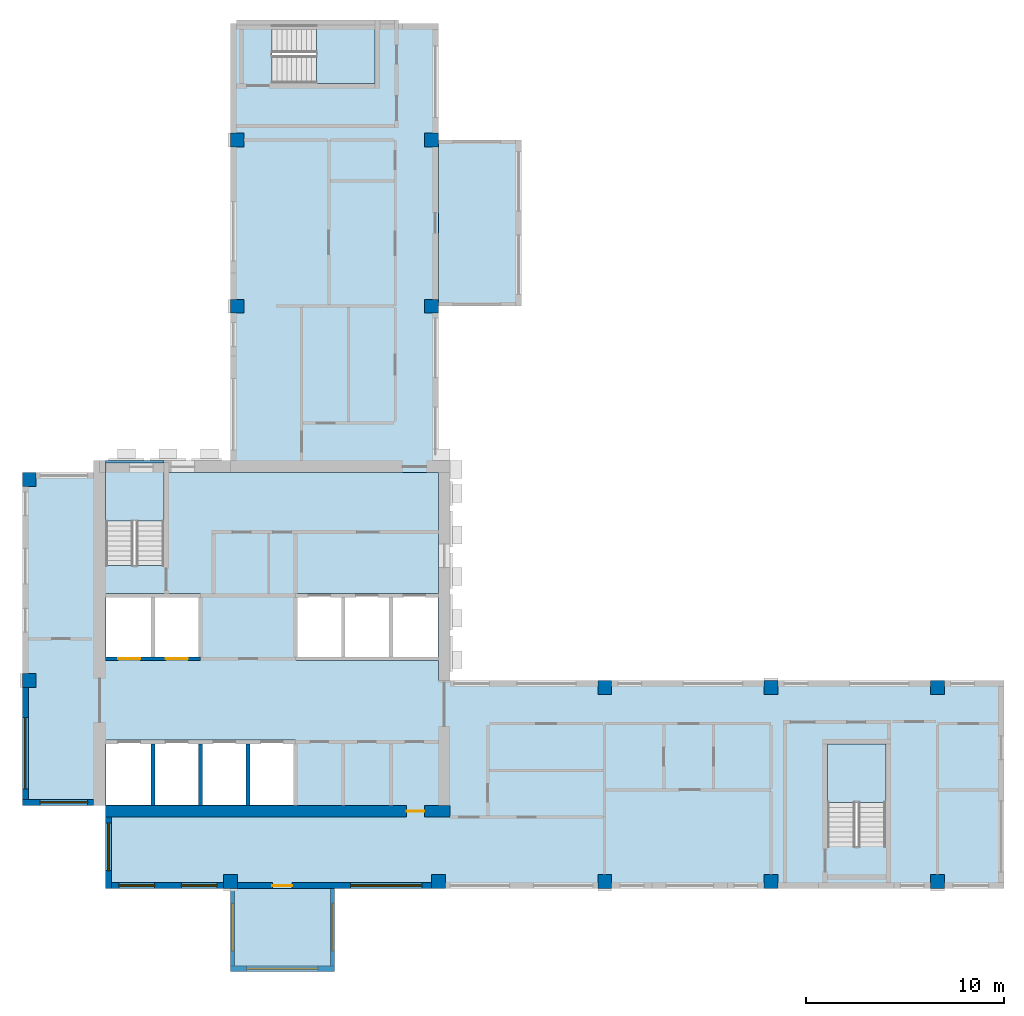
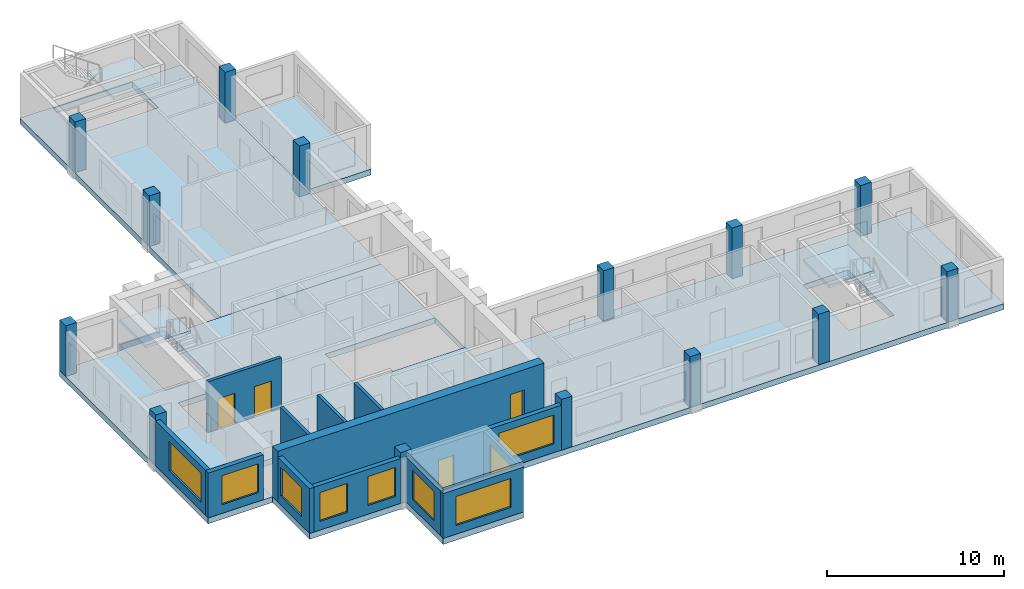
# One storey, part 1 of 10: 14 columns, 13 walls, 9 slabs, 9 windows, 4 doors, 13 openings, 3 elements without a shape of their own.
"""IFC4 building model written with IfcOpenShell, lengths in metres."""

from ifc_helpers import new_model, si_unit, direction, frame, frame_2d, origin, origin_2d, place, context, subcontext, project, spatial, polyline, rectangle, outline, extrude, source, transform, mapped, material, layer, layer_set, material_profile, profile_set, type_object, element, fill, aggregate, save


model = new_model("IFC4")

# Units and contexts
model_context = context("Model", 3, precision=1e-05, world=origin(), true_north=direction((0.0, 1.0)))
body_context = subcontext(model_context, "Body", "Model", "MODEL_VIEW")
ifc_project = project(units=[si_unit("LENGTHUNIT", "METRE"), si_unit("AREAUNIT", "SQUARE_METRE"), si_unit("VOLUMEUNIT", "CUBIC_METRE"), si_unit("PLANEANGLEUNIT", "RADIAN"), si_unit("MASSUNIT", "GRAM", prefix="KILO")], contexts=[model_context])

# Site, building, storey
site_placement = place(None, origin())
site = spatial("IfcSite", under=ifc_project, at=site_placement, CompositionType="ELEMENT")
building_placement = place(site_placement, origin())
building = spatial("IfcBuilding", under=site, at=building_placement, Name="Aurelian Terraces", CompositionType="ELEMENT")
storey_placement = place(building_placement, frame((0.0, 0.0, 288.0)))
storey = spatial("IfcBuildingStorey", under=building, at=storey_placement, Name="L65", CompositionType="ELEMENT", Elevation=288.0)

# Columns
ifc_material_1 = material(Name="Concrete fc' 55 MPa", Category="concrete")
ifc_material_profile = material_profile(ifc_material_1, rectangle(XDim=0.7, YDim=0.7, at=origin_2d()))
ifc_profile_set = profile_set([ifc_material_profile], Name="Concrete fc' 55 MPa")
column_type = type_object("IfcColumnType", Name="RC COLUMN 700X700 FC55", PredefinedType="COLUMN", material=ifc_profile_set)
shared_shape_1 = source(origin(), body_context, "Body", "SweptSolid", [
    extrude(rectangle(XDim=0.7, YDim=0.7, at=origin_2d()), origin(), (0.0, 0.0, 1.0), 3.5),
])
for number, where, z_axis, x_axis, name in (
    (1, (10.5, 0.35, 0.0), (0.0, 0.0, 1.0), (1.0, 0.0, 0.0), "Column 2/A L65"),
    (2, (21.0, 0.35, 0.0), (0.0, 0.0, 1.0), (1.0, 0.0, 0.0), "Column 3/A L65"),
    (3, (29.4, 0.35, 0.0), (0.0, 0.0, 1.0), (1.0, 0.0, 0.0), "Column 4/A L65"),
    (4, (37.8, 0.35, 0.0), (0.0, 0.0, 1.0), (1.0, 0.0, 0.0), "Column 5/A L65"),
    (5, (46.2, 0.35, 0.0), (0.0, 0.0, 1.0), (1.0, 0.0, 0.0), "Column 6/A L65"),
    (6, (0.35, 10.5, 0.0), (0.0, 0.0, 1.0), (1.0, 0.0, 0.0), "Column 1/B L65"),
    (7, (29.4, 10.15, 0.0), (0.0, 0.0, 1.0), (1.0, 0.0, 0.0), "Column 4/B L65"),
    (8, (37.8, 10.15, 0.0), (0.0, 0.0, 1.0), (1.0, 0.0, 0.0), "Column 5/B L65"),
    (9, (46.2, 10.15, 0.0), (0.0, 0.0, 1.0), (1.0, 0.0, 0.0), "Column 6/B L65"),
    (10, (0.35, 20.65, 0.0), (0.0, 0.0, 1.0), (1.0, 0.0, 0.0), "Column 1/C L65"),
    (11, (10.85, 29.4, 0.0), (0.0, 0.0, 1.0), (1.0, 0.0, 0.0), "Column 2/D L65"),
    (12, (20.65, 29.4, 0.0), (0.0, 0.0, 1.0), (1.0, 0.0, 0.0), "Column 3/D L65"),
    (13, (10.85, 37.8, 0.0), (0.0, 0.0, 1.0), (1.0, 0.0, 0.0), "Column 2/E L65"),
    (14, (20.65, 37.8, 0.0), (0.0, 0.0, 1.0), (1.0, 0.0, 0.0), "Column 3/E L65"),
):
    element("IfcColumn", number, at=place(storey_placement, frame(where, z_axis=z_axis, x_axis=x_axis)), inside=storey, type_object=column_type, Name=name, PredefinedType="COLUMN", context=body_context, shape_type="MappedRepresentation", body=[
        mapped(shared_shape_1, transform((0.0, 0.0, 0.0), scale=1.0)),
    ])

# Slabs
ifc_material_2 = material(Name="Concrete fc' 40 MPa", Category="concrete")
ifc_layer_1 = layer(ifc_material_2, 0.4)
ifc_layer_set_1 = layer_set([ifc_layer_1], Name="PT FLAT PLATE 400")
slab_type_1 = type_object("IfcSlabType", Name="PT FLAT PLATE 400", PredefinedType="FLOOR", material=ifc_layer_set_1)
slab_1_placement = place(storey_placement, frame((0.0, 0.0, -0.4)))
element("IfcSlab", 15, at=slab_1_placement, inside=storey, type_object=slab_type_1, Name="Floor slab S L65", PredefinedType="FLOOR", context=body_context, shape_type="SweptSolid", body=[
    extrude(outline(polyline([(21.0, 0.0), (4.2, 0.0), (4.2, 4.2), (0.0, 4.2), (0.0, 10.5), (0.0, 21.0), (4.21, 21.0), (4.21, 16.31), (7.14, 16.31), (7.14, 21.0), (21.0, 21.0), (21.0, 10.5), (49.56, 10.5), (49.56, 6.3), (49.56, 4.2), (49.56, 0.0), (21.0, 0.0)]), holes=[polyline([(40.66, 2.11), (43.59, 2.11), (43.59, 7.29), (40.66, 7.29), (40.66, 2.11)]), polyline([(13.81, 14.89), (13.81, 11.51), (20.99, 11.51), (20.99, 14.89), (13.81, 14.89)]), polyline([(4.21, 7.49), (4.21, 4.21), (13.79, 4.21), (13.79, 7.49), (4.21, 7.49)]), polyline([(8.99, 11.51), (8.99, 14.89), (4.21, 14.89), (4.21, 11.51), (8.99, 11.51)])]), origin(), (0.0, 0.0, 1.0), 0.4),
])
shared_shape_2 = source(origin(), body_context, "Body", "SweptSolid", [
    extrude(outline(polyline([(10.5, 43.68), (14.7, 43.68), (16.8, 43.68), (21.0, 43.68), (21.0, 21.0), (10.5, 21.0), (10.5, 43.68)]), holes=[polyline([(17.79, 43.59), (12.61, 43.59), (12.61, 40.66), (17.79, 40.66), (17.79, 43.59)])]), origin(), (0.0, 0.0, 1.0), 0.4),
])
slab_2_placement = place(storey_placement, frame((0.0, 0.0, -0.4)))
element("IfcSlab", 16, at=slab_2_placement, inside=storey, type_object=slab_type_1, Name="Floor slab W L65", PredefinedType="FLOOR", context=body_context, shape_type="MappedRepresentation", body=[
    mapped(shared_shape_2, transform((0.0, 0.0, 0.0), scale=1.0)),
])
shared_shape_3 = source(origin(), body_context, "Body", "SweptSolid", [
    extrude(outline(polyline([(4.2, 21.0), (4.2, 21.6), (7.15, 21.6), (7.15, 21.0), (7.14, 21.0), (7.14, 21.49), (4.21, 21.49), (4.21, 21.0), (4.2, 21.0)])), origin(), (0.0, 0.0, 1.0), 0.4),
])
slab_3_placement = place(storey_placement, frame((0.0, 0.0, -0.4)))
element("IfcSlab", 17, at=slab_3_placement, inside=storey, type_object=slab_type_1, Name="Floor slab W2 L65", PredefinedType="FLOOR", context=body_context, shape_type="MappedRepresentation", body=[
    mapped(shared_shape_3, transform((0.0, 0.0, 0.0), scale=1.0)),
])
ifc_layer_2 = layer(ifc_material_2, 0.41)
ifc_layer_set_2 = layer_set([ifc_layer_2], Name="Box floor 410")
slab_type_2 = type_object("IfcSlabType", Name="Box floor 410", PredefinedType="NOTDEFINED", material=ifc_layer_set_2)
shared_shape_4 = source(origin(), body_context, "Body", "SweptSolid", [
    extrude(outline(polyline([(25.2, 29.4), (25.2, 37.8), (21.0, 37.8), (21.0, 29.4), (25.2, 29.4)])), origin(), (0.0, 0.0, 1.0), 0.41),
])
slab_4_placement = place(storey_placement, frame((0.0, 0.0, -0.41)))
element("IfcSlab", 18, at=slab_4_placement, inside=storey, type_object=slab_type_2, Name="Box floor L65 J89", PredefinedType="NOTDEFINED", context=body_context, shape_type="MappedRepresentation", body=[
    mapped(shared_shape_4, transform((0.0, 0.0, 0.0), scale=1.0)),
])
shared_shape_5 = source(origin(), body_context, "Body", "SweptSolid", [
    extrude(outline(polyline([(10.5, -4.2), (15.75, -4.2), (15.75, 0.0), (10.5, 0.0), (10.5, -4.2)])), origin(), (0.0, 0.0, 1.0), 0.41),
])
slab_5_placement = place(storey_placement, frame((0.0, 0.0, -0.41)))
element("IfcSlab", 19, at=slab_5_placement, inside=storey, type_object=slab_type_2, Name="Box floor L65 J88", PredefinedType="NOTDEFINED", context=body_context, shape_type="MappedRepresentation", body=[
    mapped(shared_shape_5, transform((0.0, 0.0, 0.0), scale=1.0)),
])
ifc_layer_3 = layer(ifc_material_2, 0.4)
ifc_layer_set_3 = layer_set([ifc_layer_3], Name="Box roof 400")
slab_type_3 = type_object("IfcSlabType", Name="Box roof 400", PredefinedType="ROOF", material=ifc_layer_set_3)
shared_shape_6 = source(origin(), body_context, "Body", "SweptSolid", [
    extrude(outline(polyline([(10.5, -4.2), (15.75, -4.2), (15.75, 0.0), (10.5, 0.0), (10.5, -4.2)])), origin(), (0.0, 0.0, 1.0), 0.4),
])
slab_6_placement = place(storey_placement, frame((0.0, 0.0, 3.1)))
element("IfcSlab", 20, at=slab_6_placement, inside=storey, type_object=slab_type_3, Name="Box roof J88", PredefinedType="ROOF", context=body_context, shape_type="MappedRepresentation", body=[
    mapped(shared_shape_6, transform((0.0, 0.0, 0.0), scale=1.0)),
])

# Stair, slab
stair_type = type_object("IfcStairType", Name="Stair 1400", PredefinedType="HALF_TURN_STAIR", material=ifc_material_2)
stair_1_placement = place(storey_placement, origin())
stair_1 = element("IfcStair", 21, at=stair_1_placement, inside=storey, type_object=stair_type, Name="L65 S1", PredefinedType="HALF_TURN_STAIR")
ifc_layer_4 = layer(ifc_material_2, 0.2)
ifc_layer_set_4 = layer_set([ifc_layer_4], Name="Stair landing 200")
slab_type_4 = type_object("IfcSlabType", Name="Stair landing 200", PredefinedType="LANDING", material=ifc_layer_set_4)
shared_shape_7 = source(origin(), body_context, "Body", "SweptSolid", [
    extrude(outline(polyline([(7.15, 18.55), (7.15, 21.5), (4.2, 21.5), (4.2, 18.55), (7.15, 18.55)])), origin(), (0.0, 0.0, 1.0), 0.2),
])
slab_7_placement = place(storey_placement, frame((0.0, 0.0, 1.55)))
slab_7 = element("IfcSlab", 22, at=slab_7_placement, type_object=slab_type_4, Name="S1 landing 1", PredefinedType="LANDING", context=body_context, shape_type="MappedRepresentation", body=[
    mapped(shared_shape_7, transform((0.0, 0.0, 0.0), scale=1.0)),
])
aggregate(stair_1, [slab_7])

stair_2_placement = place(storey_placement, origin())
stair_2 = element("IfcStair", 23, at=stair_2_placement, inside=storey, type_object=stair_type, Name="L65 S2", PredefinedType="HALF_TURN_STAIR")
shared_shape_8 = source(origin(), body_context, "Body", "SweptSolid", [
    extrude(outline(polyline([(43.6, 4.35), (43.6, 7.3), (40.65, 7.3), (40.65, 4.35), (43.6, 4.35)])), origin(), (0.0, 0.0, 1.0), 0.2),
])
slab_8_placement = place(storey_placement, frame((0.0, 0.0, 1.55)))
slab_8 = element("IfcSlab", 24, at=slab_8_placement, type_object=slab_type_4, Name="S2 landing 1", PredefinedType="LANDING", context=body_context, shape_type="MappedRepresentation", body=[
    mapped(shared_shape_8, transform((0.0, 0.0, 0.0), scale=1.0)),
])
aggregate(stair_2, [slab_8])

stair_3_placement = place(storey_placement, origin())
stair_3 = element("IfcStair", 25, at=stair_3_placement, inside=storey, type_object=stair_type, Name="L65 S3U", PredefinedType="HALF_TURN_STAIR")
shared_shape_9 = source(origin(), body_context, "Body", "SweptSolid", [
    extrude(outline(polyline([(14.85, 40.65), (17.8, 40.65), (17.8, 43.6), (14.85, 43.6), (14.85, 40.65)])), origin(), (0.0, 0.0, 1.0), 0.2),
])
slab_9_placement = place(storey_placement, frame((0.0, 0.0, 1.55)))
slab_9 = element("IfcSlab", 26, at=slab_9_placement, type_object=slab_type_4, Name="S3U landing 1", PredefinedType="LANDING", context=body_context, shape_type="MappedRepresentation", body=[
    mapped(shared_shape_9, transform((0.0, 0.0, 0.0), scale=1.0)),
])
aggregate(stair_3, [slab_9])

# Wall, opening, window
ifc_layer_5 = layer(ifc_material_2, 0.2)
ifc_layer_set_5 = layer_set([ifc_layer_5], Name="BOX BEARING WALL 200")
wall_type_1 = type_object("IfcWallType", Name="BOX BEARING WALL 200", PredefinedType="SOLIDWALL", material=ifc_layer_set_5)
wall_1_placement = place(storey_placement, frame((10.6, 0.0, 0.0), z_axis=(0.0, 0.0, 1.0), x_axis=(0.0, -1.0, 0.0)))
wall_1 = element("IfcWall", 27, at=wall_1_placement, inside=storey, type_object=wall_type_1, Name="Box return L65 J88.1", PredefinedType="SOLIDWALL", context=body_context, shape_type="SweptSolid", body=[
    extrude(rectangle(XDim=3.9, YDim=0.2, at=frame_2d((1.95, 0.0))), origin(), (0.0, 0.0, 1.0), 3.1),
])
shared_shape_10 = source(origin(), body_context, "Body", "SweptSolid", [
    extrude(rectangle(XDim=2.4, YDim=2.0, at=frame_2d((1.2, 1.0))), frame((0.0, 0.11, 0.0), z_axis=(0.0, -1.0, 0.0), x_axis=(1.0, 0.0, 0.0)), (0.0, 0.0, 1.0), 0.22),
])
opening_1_placement = place(wall_1_placement, frame((0.75, 0.0, 0.6)))
opening_1 = element("IfcOpeningElement", 28, at=opening_1_placement, cuts=wall_1, Name="Opening W2420", PredefinedType="OPENING", context=body_context, shape_type="MappedRepresentation", body=[
    mapped(shared_shape_10, transform((0.0, 0.0, 0.0), scale=1.0)),
])
ifc_material_3 = material(Name="Clear glazing", Category="glass")
window_type_1 = type_object("IfcWindowType", Name="W-2400x2000", PartitioningType="SINGLE_PANEL", PredefinedType="WINDOW", material=ifc_material_3)
shared_shape_11 = source(origin(), body_context, "Body", "SweptSolid", [
    extrude(rectangle(XDim=2.4, YDim=2.0, at=frame_2d((1.2, 1.0))), frame((0.0, 0.03, 0.0), z_axis=(0.0, -1.0, 0.0), x_axis=(1.0, 0.0, 0.0)), (0.0, 0.0, 1.0), 0.06),
])
window_1_placement = place(opening_1_placement, origin())
window_1 = element("IfcWindow", 29, at=window_1_placement, inside=storey, type_object=window_type_1, Name="Window L65 J88-S1", OverallHeight=2.0, OverallWidth=2.4, PartitioningType="SINGLE_PANEL", PredefinedType="WINDOW", context=body_context, shape_type="MappedRepresentation", body=[
    mapped(shared_shape_11, transform((0.0, 0.0, 0.0), scale=1.0)),
])
fill(opening_1, window_1)

ifc_layer_6 = layer(ifc_material_2, 0.3)
ifc_layer_set_6 = layer_set([ifc_layer_6], Name="BOX BEARING WALL 300")
wall_type_2 = type_object("IfcWallType", Name="BOX BEARING WALL 300", PredefinedType="SOLIDWALL", material=ifc_layer_set_6)
wall_2_placement = place(storey_placement, frame((10.5, -4.05, 0.0), z_axis=(0.0, 0.0, 1.0), x_axis=(1.0, 0.0, 0.0)))
wall_2 = element("IfcWall", 30, at=wall_2_placement, inside=storey, type_object=wall_type_2, Name="Box wall L65 J88", PredefinedType="SOLIDWALL", context=body_context, shape_type="SweptSolid", body=[
    extrude(rectangle(XDim=5.25, YDim=0.3, at=frame_2d((2.625, 0.0))), origin(), (0.0, 0.0, 1.0), 3.1),
])
shared_shape_12 = source(origin(), body_context, "Body", "SweptSolid", [
    extrude(rectangle(XDim=3.6, YDim=2.0, at=frame_2d((1.8, 1.0))), frame((0.0, 0.16, 0.0), z_axis=(0.0, -1.0, 0.0), x_axis=(1.0, 0.0, 0.0)), (0.0, 0.0, 1.0), 0.32),
])
opening_2_placement = place(wall_2_placement, frame((0.825, 0.0, 0.6)))
opening_2 = element("IfcOpeningElement", 31, at=opening_2_placement, cuts=wall_2, Name="Opening W3620", PredefinedType="OPENING", context=body_context, shape_type="MappedRepresentation", body=[
    mapped(shared_shape_12, transform((0.0, 0.0, 0.0), scale=1.0)),
])
window_type_2 = type_object("IfcWindowType", Name="W-3600x2000", PartitioningType="SINGLE_PANEL", PredefinedType="WINDOW", material=ifc_material_3)
shared_shape_13 = source(origin(), body_context, "Body", "SweptSolid", [
    extrude(rectangle(XDim=3.6, YDim=2.0, at=frame_2d((1.8, 1.0))), frame((0.0, 0.03, 0.0), z_axis=(0.0, -1.0, 0.0), x_axis=(1.0, 0.0, 0.0)), (0.0, 0.0, 1.0), 0.06),
])
window_2_placement = place(opening_2_placement, origin())
window_2 = element("IfcWindow", 32, at=window_2_placement, inside=storey, type_object=window_type_2, Name="Window L65 J88-F1", OverallHeight=2.0, OverallWidth=3.6, PartitioningType="SINGLE_PANEL", PredefinedType="WINDOW", context=body_context, shape_type="MappedRepresentation", body=[
    mapped(shared_shape_13, transform((0.0, 0.0, 0.0), scale=1.0)),
])
fill(opening_2, window_2)

# Wall, openings, windows
ifc_material_4 = material(Name="Terracotta rainscreen cladding", Category="masonry")
ifc_layer_7 = layer(ifc_material_4, 0.3)
ifc_layer_set_7 = layer_set([ifc_layer_7], Name="EW-300")
wall_type_3 = type_object("IfcWallType", Name="EW-300", PredefinedType="STANDARD", material=ifc_layer_set_7)
wall_3_placement = place(storey_placement, frame((4.2, 0.15, 0.0), z_axis=(0.0, 0.0, 1.0), x_axis=(1.0, 0.0, 0.0)))
wall_3 = element("IfcWall", 33, at=wall_3_placement, inside=storey, type_object=wall_type_3, Name="External wall L65 F01.1", PredefinedType="STANDARD", context=body_context, shape_type="SweptSolid", body=[
    extrude(rectangle(XDim=5.95, YDim=0.3, at=frame_2d((2.975, 0.0))), origin(), (0.0, 0.0, 1.0), 3.1),
])
shared_shape_14 = source(origin(), body_context, "Body", "SweptSolid", [
    extrude(rectangle(XDim=1.8, YDim=2.0, at=frame_2d((0.9, 1.0))), frame((0.0, 0.16, 0.0), z_axis=(0.0, -1.0, 0.0), x_axis=(1.0, 0.0, 0.0)), (0.0, 0.0, 1.0), 0.32),
])
opening_3_placement = place(wall_3_placement, frame((0.675, 0.0, 0.6)))
opening_3 = element("IfcOpeningElement", 34, at=opening_3_placement, cuts=wall_3, Name="Opening W1820", PredefinedType="OPENING", context=body_context, shape_type="MappedRepresentation", body=[
    mapped(shared_shape_14, transform((0.0, 0.0, 0.0), scale=1.0)),
])
opening_4_placement = place(wall_3_placement, frame((3.825, 0.0, 0.6)))
opening_4 = element("IfcOpeningElement", 35, at=opening_4_placement, cuts=wall_3, Name="Opening W1820", PredefinedType="OPENING", context=body_context, shape_type="MappedRepresentation", body=[
    mapped(shared_shape_14, transform((0.0, 0.0, 0.0), scale=1.0)),
])
window_type_3 = type_object("IfcWindowType", Name="W-1800x2000", PartitioningType="SINGLE_PANEL", PredefinedType="WINDOW", material=ifc_material_3)
shared_shape_15 = source(origin(), body_context, "Body", "SweptSolid", [
    extrude(rectangle(XDim=1.8, YDim=2.0, at=frame_2d((0.9, 1.0))), frame((0.0, 0.03, 0.0), z_axis=(0.0, -1.0, 0.0), x_axis=(1.0, 0.0, 0.0)), (0.0, 0.0, 1.0), 0.06),
])
window_3_placement = place(opening_3_placement, origin())
window_3 = element("IfcWindow", 36, at=window_3_placement, inside=storey, type_object=window_type_3, Name="Window L65 L65-F01-01-0", OverallHeight=2.0, OverallWidth=1.8, PartitioningType="SINGLE_PANEL", PredefinedType="WINDOW", context=body_context, shape_type="MappedRepresentation", body=[
    mapped(shared_shape_15, transform((0.0, 0.0, 0.0), scale=1.0)),
])
fill(opening_3, window_3)
window_4_placement = place(opening_4_placement, origin())
window_4 = element("IfcWindow", 37, at=window_4_placement, inside=storey, type_object=window_type_3, Name="Window L65 L65-F01-01-1", OverallHeight=2.0, OverallWidth=1.8, PartitioningType="SINGLE_PANEL", PredefinedType="WINDOW", context=body_context, shape_type="MappedRepresentation", body=[
    mapped(shared_shape_15, transform((0.0, 0.0, 0.0), scale=1.0)),
])
fill(opening_4, window_4)

# Wall, opening, door
ifc_layer_8 = layer(ifc_material_1, 0.6)
ifc_layer_set_8 = layer_set([ifc_layer_8], Name="CORE WALL 600 FC55")
wall_type_4 = type_object("IfcWallType", Name="CORE WALL 600 FC55", PredefinedType="SHEAR", material=ifc_layer_set_8)
shared_shape_16 = source(origin(), body_context, "Body", "SweptSolid", [
    extrude(rectangle(XDim=17.4, YDim=0.6, at=frame_2d((8.7, 0.0))), origin(), (0.0, 0.0, 1.0), 3.5),
])
wall_4_placement = place(storey_placement, frame((4.2, 3.9, 0.0), z_axis=(0.0, 0.0, 1.0), x_axis=(1.0, 0.0, 0.0)))
wall_4 = element("IfcWall", 38, at=wall_4_placement, inside=storey, type_object=wall_type_4, Name="Core wall S L65", PredefinedType="SHEAR", context=body_context, shape_type="MappedRepresentation", body=[
    mapped(shared_shape_16, transform((0.0, 0.0, 0.0), scale=1.0)),
])
shared_shape_17 = source(origin(), body_context, "Body", "SweptSolid", [
    extrude(rectangle(XDim=0.9, YDim=2.1, at=frame_2d((0.45, 1.05))), frame((0.0, 0.31, 0.0), z_axis=(0.0, -1.0, 0.0), x_axis=(1.0, 0.0, 0.0)), (0.0, 0.0, 1.0), 0.62),
])
opening_5_placement = place(wall_4_placement, frame((15.2, 0.0, 0.0)))
opening_5 = element("IfcOpeningElement", 39, at=opening_5_placement, cuts=wall_4, Name="Opening 66826", PredefinedType="OPENING", context=body_context, shape_type="MappedRepresentation", body=[
    mapped(shared_shape_17, transform((0.0, 0.0, 0.0), scale=1.0)),
])
ifc_material_5 = material(Name="Steel door leaf", Category="steel")
door_type_1 = type_object("IfcDoorType", Name="Core service door 900x2100 right", OperationType="SINGLE_SWING_RIGHT", PredefinedType="DOOR", material=ifc_material_5)
shared_shape_18 = source(origin(), body_context, "Body", "SweptSolid", [
    extrude(rectangle(XDim=0.9, YDim=2.1, at=frame_2d((0.45, 1.05))), frame((0.0, 0.025, 0.0), z_axis=(0.0, -1.0, 0.0), x_axis=(1.0, 0.0, 0.0)), (0.0, 0.0, 1.0), 0.05),
])
door_1_placement = place(opening_5_placement, origin())
door_1 = element("IfcDoor", 40, at=door_1_placement, inside=storey, type_object=door_type_1, Name="Core door 66826", OperationType="SINGLE_SWING_RIGHT", OverallHeight=2.1, OverallWidth=0.9, PredefinedType="DOOR", context=body_context, shape_type="MappedRepresentation", body=[
    mapped(shared_shape_18, transform((0.0, 0.0, 0.0), scale=1.0)),
])
fill(opening_5, door_1)

# Wall, opening, window
shared_shape_19 = source(origin(), body_context, "Body", "SweptSolid", [
    extrude(rectangle(XDim=3.6, YDim=0.3, at=frame_2d((1.8, 0.0))), origin(), (0.0, 0.0, 1.0), 3.1),
])
wall_5_placement = place(storey_placement, frame((0.0, 4.35, 0.0), z_axis=(0.0, 0.0, 1.0), x_axis=(1.0, 0.0, 0.0)))
wall_5 = element("IfcWall", 41, at=wall_5_placement, inside=storey, type_object=wall_type_3, Name="External wall L65 F13.23", PredefinedType="STANDARD", context=body_context, shape_type="MappedRepresentation", body=[
    mapped(shared_shape_19, transform((0.0, 0.0, 0.0), scale=1.0)),
])
shared_shape_20 = source(origin(), body_context, "Body", "SweptSolid", [
    extrude(rectangle(XDim=2.4, YDim=2.0, at=frame_2d((1.2, 1.0))), frame((0.0, 0.16, 0.0), z_axis=(0.0, -1.0, 0.0), x_axis=(1.0, 0.0, 0.0)), (0.0, 0.0, 1.0), 0.32),
])
opening_6_placement = place(wall_5_placement, frame((0.9, 0.0, 0.6)))
opening_6 = element("IfcOpeningElement", 42, at=opening_6_placement, cuts=wall_5, Name="Opening W2420", PredefinedType="OPENING", context=body_context, shape_type="MappedRepresentation", body=[
    mapped(shared_shape_20, transform((0.0, 0.0, 0.0), scale=1.0)),
])
window_5_placement = place(opening_6_placement, origin())
window_5 = element("IfcWindow", 43, at=window_5_placement, inside=storey, type_object=window_type_1, Name="Window L65 L65-F13-23-0", OverallHeight=2.0, OverallWidth=2.4, PartitioningType="SINGLE_PANEL", PredefinedType="WINDOW", context=body_context, shape_type="MappedRepresentation", body=[
    mapped(shared_shape_11, transform((0.0, 0.0, 0.0), scale=1.0)),
])
fill(opening_6, window_5)

wall_6_placement = place(storey_placement, frame((4.35, 3.6, 0.0), z_axis=(0.0, 0.0, 1.0), x_axis=(0.0, -1.0, 0.0)))
wall_6 = element("IfcWall", 44, at=wall_6_placement, inside=storey, type_object=wall_type_3, Name="External wall L65 F14.24", PredefinedType="STANDARD", context=body_context, shape_type="MappedRepresentation", body=[
    mapped(shared_shape_19, transform((0.0, 0.0, 0.0), scale=1.0)),
])
opening_7_placement = place(wall_6_placement, frame((0.3, 0.0, 0.6)))
opening_7 = element("IfcOpeningElement", 45, at=opening_7_placement, cuts=wall_6, Name="Opening W2420", PredefinedType="OPENING", context=body_context, shape_type="MappedRepresentation", body=[
    mapped(shared_shape_20, transform((0.0, 0.0, 0.0), scale=1.0)),
])
window_6_placement = place(opening_7_placement, origin())
window_6 = element("IfcWindow", 46, at=window_6_placement, inside=storey, type_object=window_type_1, Name="Window L65 L65-F14-24-0", OverallHeight=2.0, OverallWidth=2.4, PartitioningType="SINGLE_PANEL", PredefinedType="WINDOW", context=body_context, shape_type="MappedRepresentation", body=[
    mapped(shared_shape_11, transform((0.0, 0.0, 0.0), scale=1.0)),
])
fill(opening_7, window_6)

shared_shape_21 = source(origin(), body_context, "Body", "SweptSolid", [
    extrude(rectangle(XDim=3.9, YDim=0.2, at=frame_2d((1.95, 0.0))), origin(), (0.0, 0.0, 1.0), 3.1),
])
wall_7_placement = place(storey_placement, frame((15.65, 0.0, 0.0), z_axis=(0.0, 0.0, 1.0), x_axis=(0.0, -1.0, 0.0)))
wall_7 = element("IfcWall", 47, at=wall_7_placement, inside=storey, type_object=wall_type_1, Name="Box return L65 J88.2", PredefinedType="SOLIDWALL", context=body_context, shape_type="MappedRepresentation", body=[
    mapped(shared_shape_21, transform((0.0, 0.0, 0.0), scale=1.0)),
])
opening_8_placement = place(wall_7_placement, frame((0.75, 0.0, 0.6)))
opening_8 = element("IfcOpeningElement", 48, at=opening_8_placement, cuts=wall_7, Name="Opening W2420", PredefinedType="OPENING", context=body_context, shape_type="MappedRepresentation", body=[
    mapped(shared_shape_10, transform((0.0, 0.0, 0.0), scale=1.0)),
])
window_7_placement = place(opening_8_placement, origin())
window_7 = element("IfcWindow", 49, at=window_7_placement, inside=storey, type_object=window_type_1, Name="Window L65 J88-S2", OverallHeight=2.0, OverallWidth=2.4, PartitioningType="SINGLE_PANEL", PredefinedType="WINDOW", context=body_context, shape_type="MappedRepresentation", body=[
    mapped(shared_shape_11, transform((0.0, 0.0, 0.0), scale=1.0)),
])
fill(opening_8, window_7)

# Wall, openings, window, door
shared_shape_22 = source(origin(), body_context, "Body", "SweptSolid", [
    extrude(rectangle(XDim=9.8, YDim=0.3, at=frame_2d((4.9, 0.0))), origin(), (0.0, 0.0, 1.0), 3.1),
])
wall_8_placement = place(storey_placement, frame((10.85, 0.15, 0.0), z_axis=(0.0, 0.0, 1.0), x_axis=(1.0, 0.0, 0.0)))
wall_8 = element("IfcWall", 50, at=wall_8_placement, inside=storey, type_object=wall_type_3, Name="External wall L65 F01.2", PredefinedType="STANDARD", context=body_context, shape_type="MappedRepresentation", body=[
    mapped(shared_shape_22, transform((0.0, 0.0, 0.0), scale=1.0)),
])
opening_9_placement = place(wall_8_placement, frame((5.725, 0.0, 0.6)))
opening_9 = element("IfcOpeningElement", 51, at=opening_9_placement, cuts=wall_8, Name="Opening W3620", PredefinedType="OPENING", context=body_context, shape_type="MappedRepresentation", body=[
    mapped(shared_shape_12, transform((0.0, 0.0, 0.0), scale=1.0)),
])
shared_shape_23 = source(origin(), body_context, "Body", "SweptSolid", [
    extrude(rectangle(XDim=1.0, YDim=2.1, at=frame_2d((0.5, 1.05))), frame((0.0, 0.16, 0.0), z_axis=(0.0, -1.0, 0.0), x_axis=(1.0, 0.0, 0.0)), (0.0, 0.0, 1.0), 0.32),
])
opening_10_placement = place(wall_8_placement, frame((1.775, 0.0, 0.0)))
opening_10 = element("IfcOpeningElement", 52, at=opening_10_placement, cuts=wall_8, Name="Opening 865001", PredefinedType="OPENING", context=body_context, shape_type="MappedRepresentation", body=[
    mapped(shared_shape_23, transform((0.0, 0.0, 0.0), scale=1.0)),
])
window_8_placement = place(opening_9_placement, origin())
window_8 = element("IfcWindow", 53, at=window_8_placement, inside=storey, type_object=window_type_2, Name="Window L65 L65-F01-02-1", OverallHeight=2.0, OverallWidth=3.6, PartitioningType="SINGLE_PANEL", PredefinedType="WINDOW", context=body_context, shape_type="MappedRepresentation", body=[
    mapped(shared_shape_13, transform((0.0, 0.0, 0.0), scale=1.0)),
])
fill(opening_9, window_8)
ifc_material_6 = material(Name="Timber door leaf", Category="wood")
door_type_2 = type_object("IfcDoorType", Name="Room door 1000x2100 left", OperationType="SINGLE_SWING_LEFT", PredefinedType="DOOR", material=ifc_material_6)
shared_shape_24 = source(origin(), body_context, "Body", "SweptSolid", [
    extrude(rectangle(XDim=1.0, YDim=2.1, at=frame_2d((0.5, 1.05))), frame((0.0, 0.025, 0.0), z_axis=(0.0, -1.0, 0.0), x_axis=(1.0, 0.0, 0.0)), (0.0, 0.0, 1.0), 0.05),
])
door_2_placement = place(opening_10_placement, origin())
door_2 = element("IfcDoor", 54, at=door_2_placement, inside=storey, type_object=door_type_2, Name="Door 865001", OperationType="SINGLE_SWING_LEFT", OverallHeight=2.1, OverallWidth=1.0, PredefinedType="DOOR", context=body_context, shape_type="MappedRepresentation", body=[
    mapped(shared_shape_24, transform((0.0, 0.0, 0.0), scale=1.0)),
])
fill(opening_10, door_2)

# Wall, opening, window
shared_shape_25 = source(origin(), body_context, "Body", "SweptSolid", [
    extrude(rectangle(XDim=5.95, YDim=0.3, at=frame_2d((2.975, 0.0))), origin(), (0.0, 0.0, 1.0), 3.1),
])
wall_9_placement = place(storey_placement, frame((0.15, 10.15, 0.0), z_axis=(0.0, 0.0, 1.0), x_axis=(0.0, -1.0, 0.0)))
wall_9 = element("IfcWall", 55, at=wall_9_placement, inside=storey, type_object=wall_type_3, Name="External wall L65 F12.22", PredefinedType="STANDARD", context=body_context, shape_type="MappedRepresentation", body=[
    mapped(shared_shape_25, transform((0.0, 0.0, 0.0), scale=1.0)),
])
opening_11_placement = place(wall_9_placement, frame((1.525, 0.0, 0.6)))
opening_11 = element("IfcOpeningElement", 56, at=opening_11_placement, cuts=wall_9, Name="Opening W3620", PredefinedType="OPENING", context=body_context, shape_type="MappedRepresentation", body=[
    mapped(shared_shape_12, transform((0.0, 0.0, 0.0), scale=1.0)),
])
window_9_placement = place(opening_11_placement, origin())
window_9 = element("IfcWindow", 57, at=window_9_placement, inside=storey, type_object=window_type_2, Name="Window L65 L65-F12-22-3", OverallHeight=2.0, OverallWidth=3.6, PartitioningType="SINGLE_PANEL", PredefinedType="WINDOW", context=body_context, shape_type="MappedRepresentation", body=[
    mapped(shared_shape_13, transform((0.0, 0.0, 0.0), scale=1.0)),
])
fill(opening_11, window_9)

# Walls
ifc_layer_9 = layer(ifc_material_2, 0.2)
ifc_layer_set_9 = layer_set([ifc_layer_9], Name="Lift shaft wall 200")
wall_type_5 = type_object("IfcWallType", Name="Lift shaft wall 200", PredefinedType="SOLIDWALL", material=ifc_layer_set_9)
shared_shape_26 = source(origin(), body_context, "Body", "SweptSolid", [
    extrude(rectangle(XDim=3.1, YDim=0.2, at=frame_2d((1.55, 0.0))), origin(), (0.0, 0.0, 1.0), 3.5),
])
for number, where, z_axis, x_axis, name in (
    (58, (6.6, 4.2, 0.0), (0.0, 0.0, 1.0), (0.0, 1.0, 0.0), "L65 core wall CD-A1"),
    (59, (9.0, 4.2, 0.0), (0.0, 0.0, 1.0), (0.0, 1.0, 0.0), "L65 core wall CD-A2"),
    (60, (11.4, 4.2, 0.0), (0.0, 0.0, 1.0), (0.0, 1.0, 0.0), "L65 core wall CD-A3"),
):
    element("IfcWall", number, at=place(storey_placement, frame(where, z_axis=z_axis, x_axis=x_axis)), inside=storey, type_object=wall_type_5, Name=name, PredefinedType="SOLIDWALL", context=body_context, shape_type="MappedRepresentation", body=[
        mapped(shared_shape_26, transform((0.0, 0.0, 0.0), scale=1.0)),
    ])

# Wall, openings, doors
shared_shape_27 = source(origin(), body_context, "Body", "SweptSolid", [
    extrude(rectangle(XDim=4.8, YDim=0.2, at=frame_2d((2.4, 0.0))), origin(), (0.0, 0.0, 1.0), 3.5),
])
wall_10_placement = place(storey_placement, frame((4.2, 11.6, 0.0), z_axis=(0.0, 0.0, 1.0), x_axis=(1.0, 0.0, 0.0)))
wall_10 = element("IfcWall", 61, at=wall_10_placement, inside=storey, type_object=wall_type_5, Name="L65 core wall CF-BF1", PredefinedType="SOLIDWALL", context=body_context, shape_type="MappedRepresentation", body=[
    mapped(shared_shape_27, transform((0.0, 0.0, 0.0), scale=1.0)),
])
shared_shape_28 = source(origin(), body_context, "Body", "SweptSolid", [
    extrude(rectangle(XDim=1.1, YDim=2.1, at=frame_2d((0.55, 1.05))), frame((0.0, 0.11, 0.0), z_axis=(0.0, -1.0, 0.0), x_axis=(1.0, 0.0, 0.0)), (0.0, 0.0, 1.0), 0.22),
])
opening_12_placement = place(wall_10_placement, frame((0.65, 0.0, 0.0)))
opening_12 = element("IfcOpeningElement", 62, at=opening_12_placement, cuts=wall_10, Name="Opening 66807", PredefinedType="OPENING", context=body_context, shape_type="MappedRepresentation", body=[
    mapped(shared_shape_28, transform((0.0, 0.0, 0.0), scale=1.0)),
])
opening_13_placement = place(wall_10_placement, frame((3.05, 0.0, 0.0)))
opening_13 = element("IfcOpeningElement", 63, at=opening_13_placement, cuts=wall_10, Name="Opening 66808", PredefinedType="OPENING", context=body_context, shape_type="MappedRepresentation", body=[
    mapped(shared_shape_28, transform((0.0, 0.0, 0.0), scale=1.0)),
])
ifc_material_7 = material(Name="Stainless steel", Category="steel")
door_type_3 = type_object("IfcDoorType", Name="Lift landing door 1100x2100", OperationType="SLIDING_TO_LEFT", PredefinedType="DOOR", material=ifc_material_7)
shared_shape_29 = source(origin(), body_context, "Body", "SweptSolid", [
    extrude(rectangle(XDim=1.1, YDim=2.1, at=frame_2d((0.55, 1.05))), frame((0.0, 0.025, 0.0), z_axis=(0.0, -1.0, 0.0), x_axis=(1.0, 0.0, 0.0)), (0.0, 0.0, 1.0), 0.05),
])
door_3_placement = place(opening_12_placement, origin())
door_3 = element("IfcDoor", 64, at=door_3_placement, inside=storey, type_object=door_type_3, Name="Lift landing door LH5 L65", OperationType="SLIDING_TO_LEFT", OverallHeight=2.1, OverallWidth=1.1, PredefinedType="DOOR", context=body_context, shape_type="MappedRepresentation", body=[
    mapped(shared_shape_29, transform((0.0, 0.0, 0.0), scale=1.0)),
])
fill(opening_12, door_3)
door_4_placement = place(opening_13_placement, origin())
door_4 = element("IfcDoor", 65, at=door_4_placement, inside=storey, type_object=door_type_3, Name="Lift landing door LH6 L65", OperationType="SLIDING_TO_LEFT", OverallHeight=2.1, OverallWidth=1.1, PredefinedType="DOOR", context=body_context, shape_type="MappedRepresentation", body=[
    mapped(shared_shape_29, transform((0.0, 0.0, 0.0), scale=1.0)),
])
fill(opening_13, door_4)

save(model, "model.ifc")
